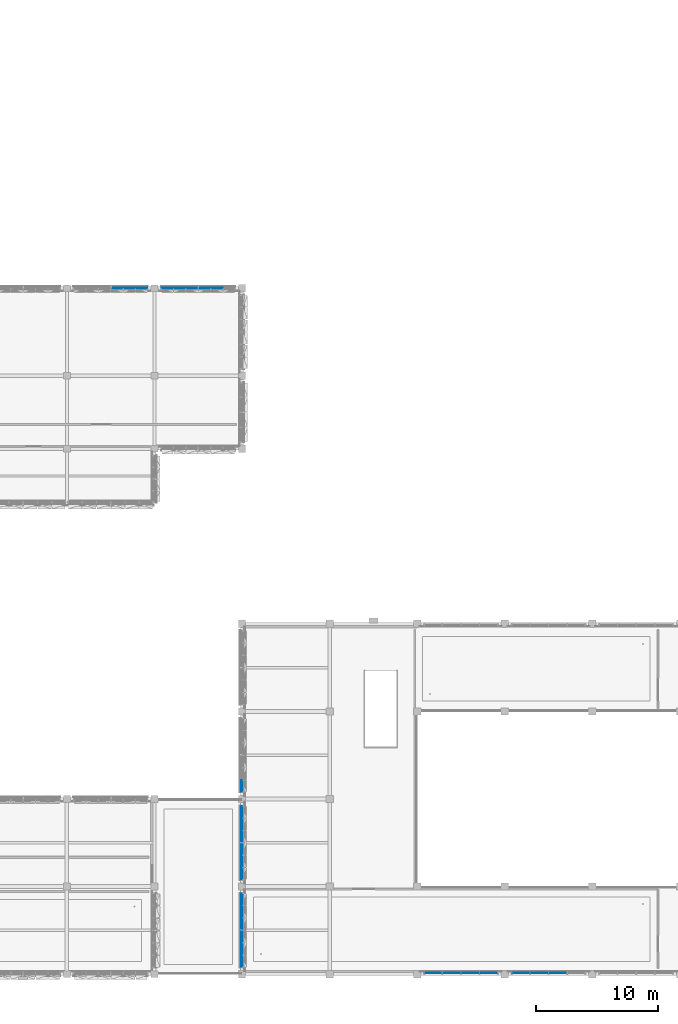
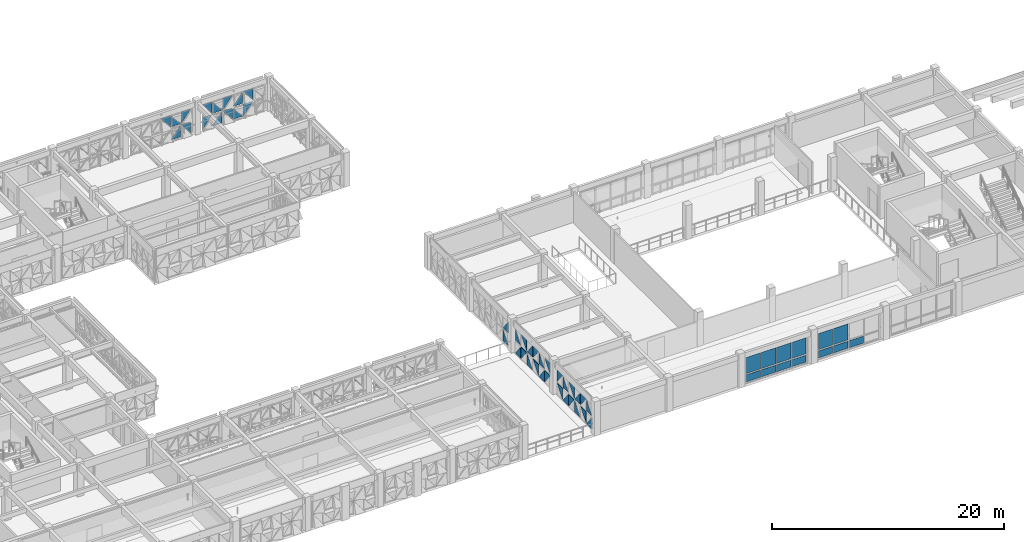
# One storey, part 37 of 85: 54 plates, 7 elements without a shape of their own.
"""IFC4 building model written with IfcOpenShell, lengths in metres."""

from ifc_helpers import new_model, si_unit, direction, frame, origin, origin_2d, place, context, subcontext, project, spatial, polyline, rectangle, outline, extrude, material, layer, layer_set, type_object, element, aggregate, save


model = new_model("IFC4")

# Units and contexts
model_context = context("Model", 3, precision=1e-05, world=origin(), true_north=direction((0.0, 1.0)))
body_context = subcontext(model_context, "Body", "Model", "MODEL_VIEW")
ifc_project = project(units=[si_unit("LENGTHUNIT", "METRE"), si_unit("AREAUNIT", "SQUARE_METRE"), si_unit("VOLUMEUNIT", "CUBIC_METRE"), si_unit("PLANEANGLEUNIT", "RADIAN"), si_unit("MASSUNIT", "GRAM", prefix="KILO")], contexts=[model_context])

# Site, building, storey
site_placement = place(None, origin())
site = spatial("IfcSite", under=ifc_project, at=site_placement, CompositionType="ELEMENT")
building_placement = place(site_placement, origin())
building = spatial("IfcBuilding", under=site, at=building_placement, Name="Alvorim Cloister Faculty of Sciences", CompositionType="ELEMENT")
storey_placement = place(building_placement, frame((0.0, 0.0, 8.550048828125)))
storey = spatial("IfcBuildingStorey", under=building, at=storey_placement, Name="L02", CompositionType="ELEMENT", Elevation=8.550048828125)

# Curtain wall, plates
ifc_material_1 = material(Name="Aluminium and Low-E Glass Curtain Wall", Category="aluminium")
curtain_wall_type_1 = type_object("IfcCurtainWallType", Name="CW-GLZ-6120x2850", PredefinedType="USERDEFINED", material=ifc_material_1)
curtain_wall_1_placement = place(storey_placement, origin())
curtain_wall_1 = element("IfcCurtainWall", 1, at=curtain_wall_1_placement, inside=storey, type_object=curtain_wall_type_1, Name="L02 Entrance and Atrium Glazed Curtain Wall CW-0092", ObjectType="UNITISED CURTAIN WALL", PredefinedType="USERDEFINED")
ifc_material_2 = material(Name="Double Low-E Laminated Glass", Category="glass")
ifc_layer_1 = layer(ifc_material_2, 0.031982421875)
ifc_layer_set_1 = layer_set([ifc_layer_1], Name="Double Low-E Laminated Glass")
plate_type_1 = type_object("IfcPlateType", Name="PN-GLZ-32", PredefinedType="CURTAIN_PANEL", material=ifc_layer_set_1)
plate_1_placement = place(storey_placement, frame((80.521240234375, 0.090087890625, 0.14013671875), z_axis=(0.0, 0.0, 1.0), x_axis=(1.0, 0.0, 0.0)))
plate_1 = element("IfcPlate", 2, at=plate_1_placement, type_object=plate_type_1, Name="CW-10 panel 1.1", PredefinedType="CURTAIN_PANEL", context=body_context, shape_type="SweptSolid", body=[
    extrude(rectangle(XDim=1.4326171875, YDim=0.031982421875, at=origin_2d()), origin(), (0.0, 0.0, 1.0), 0.739990234375),
])
plate_2_placement = place(storey_placement, frame((80.521240234375, 0.090087890625, 1.02001953125), z_axis=(0.0, 0.0, 1.0), x_axis=(1.0, 0.0, 0.0)))
plate_2 = element("IfcPlate", 3, at=plate_2_placement, type_object=plate_type_1, Name="CW-10 panel 1.2", PredefinedType="CURTAIN_PANEL", context=body_context, shape_type="SweptSolid", body=[
    extrude(rectangle(XDim=1.4326171875, YDim=0.031982421875, at=origin_2d()), origin(), (0.0, 0.0, 1.0), 1.68994140625),
])
plate_3_placement = place(storey_placement, frame((82.034912109375, 0.090087890625, 0.14013671875), z_axis=(0.0, 0.0, 1.0), x_axis=(1.0, 0.0, 0.0)))
plate_3 = element("IfcPlate", 4, at=plate_3_placement, type_object=plate_type_1, Name="CW-10 panel 2.1", PredefinedType="CURTAIN_PANEL", context=body_context, shape_type="SweptSolid", body=[
    extrude(rectangle(XDim=1.465087890625, YDim=0.031982421875, at=origin_2d()), origin(), (0.0, 0.0, 1.0), 0.739990234375),
])
plate_4_placement = place(storey_placement, frame((82.034912109375, 0.090087890625, 1.02001953125), z_axis=(0.0, 0.0, 1.0), x_axis=(1.0, 0.0, 0.0)))
plate_4 = element("IfcPlate", 5, at=plate_4_placement, type_object=plate_type_1, Name="CW-10 panel 2.2", PredefinedType="CURTAIN_PANEL", context=body_context, shape_type="SweptSolid", body=[
    extrude(rectangle(XDim=1.465087890625, YDim=0.031982421875, at=origin_2d()), origin(), (0.0, 0.0, 1.0), 1.68994140625),
])
plate_5_placement = place(storey_placement, frame((83.56494140625, 0.090087890625, 0.14013671875), z_axis=(0.0, 0.0, 1.0), x_axis=(1.0, 0.0, 0.0)))
plate_5 = element("IfcPlate", 6, at=plate_5_placement, type_object=plate_type_1, Name="CW-10 panel 3.1", PredefinedType="CURTAIN_PANEL", context=body_context, shape_type="SweptSolid", body=[
    extrude(rectangle(XDim=1.465087890625, YDim=0.031982421875, at=origin_2d()), origin(), (0.0, 0.0, 1.0), 0.739990234375),
])
plate_6_placement = place(storey_placement, frame((83.56494140625, 0.090087890625, 1.02001953125), z_axis=(0.0, 0.0, 1.0), x_axis=(1.0, 0.0, 0.0)))
plate_6 = element("IfcPlate", 7, at=plate_6_placement, type_object=plate_type_1, Name="CW-10 panel 3.2", PredefinedType="CURTAIN_PANEL", context=body_context, shape_type="SweptSolid", body=[
    extrude(rectangle(XDim=1.465087890625, YDim=0.031982421875, at=origin_2d()), origin(), (0.0, 0.0, 1.0), 1.68994140625),
])
plate_7_placement = place(storey_placement, frame((85.078857421875, 0.090087890625, 0.14013671875), z_axis=(0.0, 0.0, 1.0), x_axis=(1.0, 0.0, 0.0)))
plate_7 = element("IfcPlate", 8, at=plate_7_placement, type_object=plate_type_1, Name="CW-10 panel 4.1", PredefinedType="CURTAIN_PANEL", context=body_context, shape_type="SweptSolid", body=[
    extrude(rectangle(XDim=1.4326171875, YDim=0.031982421875, at=origin_2d()), origin(), (0.0, 0.0, 1.0), 0.739990234375),
])
plate_8_placement = place(storey_placement, frame((85.078857421875, 0.090087890625, 1.02001953125), z_axis=(0.0, 0.0, 1.0), x_axis=(1.0, 0.0, 0.0)))
plate_8 = element("IfcPlate", 9, at=plate_8_placement, type_object=plate_type_1, Name="CW-10 panel 4.2", PredefinedType="CURTAIN_PANEL", context=body_context, shape_type="SweptSolid", body=[
    extrude(rectangle(XDim=1.4326171875, YDim=0.031982421875, at=origin_2d()), origin(), (0.0, 0.0, 1.0), 1.68994140625),
])
aggregate(curtain_wall_1, [plate_1, plate_2, plate_3, plate_4, plate_5, plate_6, plate_7, plate_8])

curtain_wall_type_2 = type_object("IfcCurtainWallType", Name="CW-TRI-6120x2850", PredefinedType="USERDEFINED", material=ifc_material_1)
curtain_wall_2_placement = place(storey_placement, origin())
curtain_wall_2 = element("IfcCurtainWall", 10, at=curtain_wall_2_placement, inside=storey, type_object=curtain_wall_type_2, Name="L02 Diagonal Cassette Curtain Wall CW-0059", ObjectType="UNITISED CURTAIN WALL", PredefinedType="USERDEFINED")
ifc_layer_2 = layer(ifc_material_2, 0.0400390625)
ifc_layer_set_2 = layer_set([ifc_layer_2], Name="Double Low-E Laminated Glass")
plate_type_2 = type_object("IfcPlateType", Name="PN-GLZ-40", PredefinedType="CURTAIN_PANEL", material=ifc_layer_set_2)
plate_9_placement = place(storey_placement, frame((54.032470703125, 56.425048828125, 1.494873046875), z_axis=(0.0, 0.0, 1.0), x_axis=(1.0, 0.0, 0.0)))
plate_9 = element("IfcPlate", 11, at=plate_9_placement, type_object=plate_type_2, Name="Diagonal Glazed Triangle TRI-TR", PredefinedType="CURTAIN_PANEL", context=body_context, shape_type="SweptSolid", body=[
    extrude(outline(polyline([(0.955078125, 0.001953125), (0.955078125, 1.215087890625), (0.001953125, 1.215087890625), (0.955078125, 0.001953125)])), frame((0.0, 0.02490234375, 0.0), z_axis=(0.0, -1.0, 0.0), x_axis=(1.0, 0.0, 0.0)), (0.0, 0.0, 1.0), 0.050048828125),
])
plate_10_placement = place(storey_placement, frame((55.052490234375, 56.425048828125, 0.139892578125), z_axis=(0.0, 0.0, 1.0), x_axis=(1.0, 0.0, 0.0)))
plate_10 = element("IfcPlate", 12, at=plate_10_placement, type_object=plate_type_2, Name="Diagonal Glazed Triangle TRI-BR", PredefinedType="CURTAIN_PANEL", context=body_context, shape_type="SweptSolid", body=[
    extrude(outline(polyline([(0.001953125, 0.0), (0.955078125, 0.0), (0.955078125, 1.213134765625), (0.001953125, 0.0)])), frame((0.0, 0.02490234375, 0.0), z_axis=(0.0, -1.0, 0.0), x_axis=(1.0, 0.0, 0.0)), (0.0, 0.0, 1.0), 0.050048828125),
])
plate_11_placement = place(storey_placement, frame((55.052490234375, 56.425048828125, 1.494873046875), z_axis=(0.0, 0.0, 1.0), x_axis=(1.0, 0.0, 0.0)))
plate_11 = element("IfcPlate", 13, at=plate_11_placement, type_object=plate_type_2, Name="Diagonal Glazed Triangle TRI-BL", PredefinedType="CURTAIN_PANEL", context=body_context, shape_type="SweptSolid", body=[
    extrude(outline(polyline([(0.0, 0.0), (0.953125, 0.0), (0.0, 1.213134765625), (0.0, 0.0)])), frame((0.0, 0.02490234375, 0.0), z_axis=(0.0, -1.0, 0.0), x_axis=(1.0, 0.0, 0.0)), (0.0, 0.0, 1.0), 0.050048828125),
])
plate_12_placement = place(storey_placement, frame((56.072509765625, 56.425048828125, 0.139892578125), z_axis=(0.0, 0.0, 1.0), x_axis=(1.0, 0.0, 0.0)))
plate_12 = element("IfcPlate", 14, at=plate_12_placement, type_object=plate_type_2, Name="Diagonal Glazed Triangle TRI-TR", PredefinedType="CURTAIN_PANEL", context=body_context, shape_type="SweptSolid", body=[
    extrude(outline(polyline([(0.922607421875, 0.001953125), (0.922607421875, 1.215087890625), (0.001953125, 1.215087890625), (0.922607421875, 0.001953125)])), frame((0.0, 0.02490234375, 0.0), z_axis=(0.0, -1.0, 0.0), x_axis=(1.0, 0.0, 0.0)), (0.0, 0.0, 1.0), 0.050048828125),
])
plate_13_placement = place(storey_placement, frame((56.072509765625, 56.425048828125, 1.494873046875), z_axis=(0.0, 0.0, 1.0), x_axis=(1.0, 0.0, 0.0)))
plate_13 = element("IfcPlate", 15, at=plate_13_placement, type_object=plate_type_2, Name="Diagonal Glazed Triangle TRI-TL", PredefinedType="CURTAIN_PANEL", context=body_context, shape_type="SweptSolid", body=[
    extrude(outline(polyline([(0.920654296875, 1.215087890625), (0.0, 1.215087890625), (0.0, 0.001953125), (0.920654296875, 1.215087890625)])), frame((0.0, 0.02490234375, 0.0), z_axis=(0.0, -1.0, 0.0), x_axis=(1.0, 0.0, 0.0)), (0.0, 0.0, 1.0), 0.050048828125),
])
aggregate(curtain_wall_2, [plate_9, plate_10, plate_11, plate_12, plate_13])

curtain_wall_3_placement = place(storey_placement, origin())
curtain_wall_3 = element("IfcCurtainWall", 16, at=curtain_wall_3_placement, inside=storey, type_object=curtain_wall_type_2, Name="L02 Diagonal Cassette Curtain Wall CW-0060", ObjectType="UNITISED CURTAIN WALL", PredefinedType="USERDEFINED")
plate_14_placement = place(storey_placement, frame((58.205078125, 56.425048828125, 0.139892578125), z_axis=(0.0, 0.0, 1.0), x_axis=(1.0, 0.0, 0.0)))
plate_14 = element("IfcPlate", 17, at=plate_14_placement, type_object=plate_type_2, Name="Diagonal Glazed Triangle TRI-TL", PredefinedType="CURTAIN_PANEL", context=body_context, shape_type="SweptSolid", body=[
    extrude(outline(polyline([(0.920654296875, 1.215087890625), (0.0, 1.215087890625), (0.0, 0.001953125), (0.920654296875, 1.215087890625)])), frame((0.0, 0.02490234375, 0.0), z_axis=(0.0, -1.0, 0.0), x_axis=(1.0, 0.0, 0.0)), (0.0, 0.0, 1.0), 0.050048828125),
])
plate_15_placement = place(storey_placement, frame((58.205078125, 56.425048828125, 1.494873046875), z_axis=(0.0, 0.0, 1.0), x_axis=(1.0, 0.0, 0.0)))
plate_15 = element("IfcPlate", 18, at=plate_15_placement, type_object=plate_type_2, Name="Diagonal Glazed Triangle TRI-TR", PredefinedType="CURTAIN_PANEL", context=body_context, shape_type="SweptSolid", body=[
    extrude(outline(polyline([(0.922607421875, 0.001953125), (0.922607421875, 1.215087890625), (0.001953125, 1.215087890625), (0.922607421875, 0.001953125)])), frame((0.0, 0.02490234375, 0.0), z_axis=(0.0, -1.0, 0.0), x_axis=(1.0, 0.0, 0.0)), (0.0, 0.0, 1.0), 0.050048828125),
])
plate_16_placement = place(storey_placement, frame((59.1923828125, 56.425048828125, 0.139892578125), z_axis=(0.0, 0.0, 1.0), x_axis=(1.0, 0.0, 0.0)))
plate_16 = element("IfcPlate", 19, at=plate_16_placement, type_object=plate_type_2, Name="Diagonal Glazed Triangle TRI-BR", PredefinedType="CURTAIN_PANEL", context=body_context, shape_type="SweptSolid", body=[
    extrude(outline(polyline([(0.001953125, 0.0), (0.955078125, 0.0), (0.955078125, 1.213134765625), (0.001953125, 0.0)])), frame((0.0, 0.02490234375, 0.0), z_axis=(0.0, -1.0, 0.0), x_axis=(1.0, 0.0, 0.0)), (0.0, 0.0, 1.0), 0.050048828125),
])
plate_17_placement = place(storey_placement, frame((59.1923828125, 56.425048828125, 1.494873046875), z_axis=(0.0, 0.0, 1.0), x_axis=(1.0, 0.0, 0.0)))
plate_17 = element("IfcPlate", 20, at=plate_17_placement, type_object=plate_type_2, Name="Diagonal Glazed Triangle TRI-BL", PredefinedType="CURTAIN_PANEL", context=body_context, shape_type="SweptSolid", body=[
    extrude(outline(polyline([(0.0, 0.0), (0.953125, 0.0), (0.0, 1.213134765625), (0.0, 0.0)])), frame((0.0, 0.02490234375, 0.0), z_axis=(0.0, -1.0, 0.0), x_axis=(1.0, 0.0, 0.0)), (0.0, 0.0, 1.0), 0.050048828125),
])
plate_18_placement = place(storey_placement, frame((60.21240234375, 56.425048828125, 0.139892578125), z_axis=(0.0, 0.0, 1.0), x_axis=(1.0, 0.0, 0.0)))
plate_18 = element("IfcPlate", 21, at=plate_18_placement, type_object=plate_type_2, Name="Diagonal Glazed Triangle TRI-TR", PredefinedType="CURTAIN_PANEL", context=body_context, shape_type="SweptSolid", body=[
    extrude(outline(polyline([(0.955078125, 0.001953125), (0.955078125, 1.215087890625), (0.001953125, 1.215087890625), (0.955078125, 0.001953125)])), frame((0.0, 0.02490234375, 0.0), z_axis=(0.0, -1.0, 0.0), x_axis=(1.0, 0.0, 0.0)), (0.0, 0.0, 1.0), 0.050048828125),
])
plate_19_placement = place(storey_placement, frame((60.21240234375, 56.425048828125, 1.494873046875), z_axis=(0.0, 0.0, 1.0), x_axis=(1.0, 0.0, 0.0)))
plate_19 = element("IfcPlate", 22, at=plate_19_placement, type_object=plate_type_2, Name="Diagonal Glazed Triangle TRI-TL", PredefinedType="CURTAIN_PANEL", context=body_context, shape_type="SweptSolid", body=[
    extrude(outline(polyline([(0.953125, 1.215087890625), (0.0, 1.215087890625), (0.0, 0.001953125), (0.953125, 1.215087890625)])), frame((0.0, 0.02490234375, 0.0), z_axis=(0.0, -1.0, 0.0), x_axis=(1.0, 0.0, 0.0)), (0.0, 0.0, 1.0), 0.050048828125),
])
plate_20_placement = place(storey_placement, frame((61.232421875, 56.425048828125, 0.139892578125), z_axis=(0.0, 0.0, 1.0), x_axis=(1.0, 0.0, 0.0)))
plate_20 = element("IfcPlate", 23, at=plate_20_placement, type_object=plate_type_2, Name="Diagonal Glazed Triangle TRI-BL", PredefinedType="CURTAIN_PANEL", context=body_context, shape_type="SweptSolid", body=[
    extrude(outline(polyline([(0.0, 0.0), (0.953125, 0.0), (0.0, 1.213134765625), (0.0, 0.0)])), frame((0.0, 0.02490234375, 0.0), z_axis=(0.0, -1.0, 0.0), x_axis=(1.0, 0.0, 0.0)), (0.0, 0.0, 1.0), 0.050048828125),
])
plate_21_placement = place(storey_placement, frame((61.232421875, 56.425048828125, 1.494873046875), z_axis=(0.0, 0.0, 1.0), x_axis=(1.0, 0.0, 0.0)))
plate_21 = element("IfcPlate", 24, at=plate_21_placement, type_object=plate_type_2, Name="Diagonal Glazed Triangle TRI-BR", PredefinedType="CURTAIN_PANEL", context=body_context, shape_type="SweptSolid", body=[
    extrude(outline(polyline([(0.001953125, 0.0), (0.955078125, 0.0), (0.955078125, 1.213134765625), (0.001953125, 0.0)])), frame((0.0, 0.02490234375, 0.0), z_axis=(0.0, -1.0, 0.0), x_axis=(1.0, 0.0, 0.0)), (0.0, 0.0, 1.0), 0.050048828125),
])
plate_22_placement = place(storey_placement, frame((62.25244140625, 56.425048828125, 0.139892578125), z_axis=(0.0, 0.0, 1.0), x_axis=(1.0, 0.0, 0.0)))
plate_22 = element("IfcPlate", 25, at=plate_22_placement, type_object=plate_type_2, Name="Diagonal Glazed Triangle TRI-TL", PredefinedType="CURTAIN_PANEL", context=body_context, shape_type="SweptSolid", body=[
    extrude(outline(polyline([(0.953125, 1.215087890625), (0.0, 1.215087890625), (0.0, 0.001953125), (0.953125, 1.215087890625)])), frame((0.0, 0.02490234375, 0.0), z_axis=(0.0, -1.0, 0.0), x_axis=(1.0, 0.0, 0.0)), (0.0, 0.0, 1.0), 0.050048828125),
])
plate_23_placement = place(storey_placement, frame((62.25244140625, 56.425048828125, 1.494873046875), z_axis=(0.0, 0.0, 1.0), x_axis=(1.0, 0.0, 0.0)))
plate_23 = element("IfcPlate", 26, at=plate_23_placement, type_object=plate_type_2, Name="Diagonal Glazed Triangle TRI-TR", PredefinedType="CURTAIN_PANEL", context=body_context, shape_type="SweptSolid", body=[
    extrude(outline(polyline([(0.955078125, 0.001953125), (0.955078125, 1.215087890625), (0.001953125, 1.215087890625), (0.955078125, 0.001953125)])), frame((0.0, 0.02490234375, 0.0), z_axis=(0.0, -1.0, 0.0), x_axis=(1.0, 0.0, 0.0)), (0.0, 0.0, 1.0), 0.050048828125),
])
aggregate(curtain_wall_3, [plate_14, plate_15, plate_16, plate_17, plate_18, plate_19, plate_20, plate_21, plate_22, plate_23])

curtain_wall_4_placement = place(storey_placement, origin())
curtain_wall_4 = element("IfcCurtainWall", 27, at=curtain_wall_4_placement, inside=storey, type_object=curtain_wall_type_1, Name="L02 Entrance and Atrium Glazed Curtain Wall CW-0091", ObjectType="UNITISED CURTAIN WALL", PredefinedType="USERDEFINED")
plate_24_placement = place(storey_placement, frame((87.72119140625, 0.090087890625, 0.14013671875), z_axis=(0.0, 0.0, 1.0), x_axis=(1.0, 0.0, 0.0)))
plate_24 = element("IfcPlate", 28, at=plate_24_placement, type_object=plate_type_2, Name="CW-10 panel 1.1", PredefinedType="CURTAIN_PANEL", context=body_context, shape_type="SweptSolid", body=[
    extrude(rectangle(XDim=1.4326171875, YDim=0.0400390625, at=origin_2d()), origin(), (0.0, 0.0, 1.0), 0.739990234375),
])
plate_25_placement = place(storey_placement, frame((87.72119140625, 0.090087890625, 1.02001953125), z_axis=(0.0, 0.0, 1.0), x_axis=(1.0, 0.0, 0.0)))
plate_25 = element("IfcPlate", 29, at=plate_25_placement, type_object=plate_type_2, Name="CW-10 panel 1.2", PredefinedType="CURTAIN_PANEL", context=body_context, shape_type="SweptSolid", body=[
    extrude(rectangle(XDim=1.4326171875, YDim=0.0400390625, at=origin_2d()), origin(), (0.0, 0.0, 1.0), 1.68994140625),
])
plate_26_placement = place(storey_placement, frame((89.235107421875, 0.090087890625, 0.14013671875), z_axis=(0.0, 0.0, 1.0), x_axis=(1.0, 0.0, 0.0)))
plate_26 = element("IfcPlate", 30, at=plate_26_placement, type_object=plate_type_2, Name="CW-10 panel 2.1", PredefinedType="CURTAIN_PANEL", context=body_context, shape_type="SweptSolid", body=[
    extrude(rectangle(XDim=1.465087890625, YDim=0.0400390625, at=origin_2d()), origin(), (0.0, 0.0, 1.0), 0.739990234375),
])
plate_27_placement = place(storey_placement, frame((89.235107421875, 0.090087890625, 1.02001953125), z_axis=(0.0, 0.0, 1.0), x_axis=(1.0, 0.0, 0.0)))
plate_27 = element("IfcPlate", 31, at=plate_27_placement, type_object=plate_type_2, Name="CW-10 panel 2.2", PredefinedType="CURTAIN_PANEL", context=body_context, shape_type="SweptSolid", body=[
    extrude(rectangle(XDim=1.465087890625, YDim=0.0400390625, at=origin_2d()), origin(), (0.0, 0.0, 1.0), 1.68994140625),
])
plate_28_placement = place(storey_placement, frame((90.764892578125, 0.090087890625, 0.14013671875), z_axis=(0.0, 0.0, 1.0), x_axis=(1.0, 0.0, 0.0)))
plate_28 = element("IfcPlate", 32, at=plate_28_placement, type_object=plate_type_2, Name="CW-10 panel 3.1", PredefinedType="CURTAIN_PANEL", context=body_context, shape_type="SweptSolid", body=[
    extrude(rectangle(XDim=1.465087890625, YDim=0.0400390625, at=origin_2d()), origin(), (0.0, 0.0, 1.0), 0.739990234375),
])
aggregate(curtain_wall_4, [plate_24, plate_25, plate_26, plate_27, plate_28])

curtain_wall_5_placement = place(storey_placement, origin())
curtain_wall_5 = element("IfcCurtainWall", 33, at=curtain_wall_5_placement, inside=storey, type_object=curtain_wall_type_2, Name="L02 Diagonal Cassette Curtain Wall CW-0093", ObjectType="UNITISED CURTAIN WALL", PredefinedType="USERDEFINED")
plate_29_placement = place(storey_placement, frame((64.77490234375, 0.60498046875, 0.139892578125), z_axis=(0.0, 0.0, 1.0), x_axis=(0.0, 1.0, 0.0)))
plate_29 = element("IfcPlate", 34, at=plate_29_placement, type_object=plate_type_2, Name="Diagonal Glazed Triangle TRI-BL", PredefinedType="CURTAIN_PANEL", context=body_context, shape_type="SweptSolid", body=[
    extrude(outline(polyline([(0.0, 0.0), (0.920654296875, 0.0), (0.0, 1.213134765625), (0.0, 0.0)])), frame((0.0, 0.02490234375, 0.0), z_axis=(0.0, -1.0, 0.0), x_axis=(1.0, 0.0, 0.0)), (0.0, 0.0, 1.0), 0.050048828125),
])
plate_30_placement = place(storey_placement, frame((64.77490234375, 0.60498046875, 1.494873046875), z_axis=(0.0, 0.0, 1.0), x_axis=(0.0, 1.0, 0.0)))
plate_30 = element("IfcPlate", 35, at=plate_30_placement, type_object=plate_type_2, Name="Diagonal Glazed Triangle TRI-BR", PredefinedType="CURTAIN_PANEL", context=body_context, shape_type="SweptSolid", body=[
    extrude(outline(polyline([(0.001953125, 0.0), (0.922607421875, 0.0), (0.922607421875, 1.213134765625), (0.001953125, 0.0)])), frame((0.0, 0.02490234375, 0.0), z_axis=(0.0, -1.0, 0.0), x_axis=(1.0, 0.0, 0.0)), (0.0, 0.0, 1.0), 0.050048828125),
])
plate_31_placement = place(storey_placement, frame((64.77490234375, 1.592529296875, 0.139892578125), z_axis=(0.0, 0.0, 1.0), x_axis=(0.0, 1.0, 0.0)))
plate_31 = element("IfcPlate", 36, at=plate_31_placement, type_object=plate_type_2, Name="Diagonal Glazed Triangle TRI-TL", PredefinedType="CURTAIN_PANEL", context=body_context, shape_type="SweptSolid", body=[
    extrude(outline(polyline([(0.953125, 1.215087890625), (0.0, 1.215087890625), (0.0, 0.001953125), (0.953125, 1.215087890625)])), frame((0.0, 0.02490234375, 0.0), z_axis=(0.0, -1.0, 0.0), x_axis=(1.0, 0.0, 0.0)), (0.0, 0.0, 1.0), 0.050048828125),
])
plate_32_placement = place(storey_placement, frame((64.77490234375, 1.592529296875, 1.494873046875), z_axis=(0.0, 0.0, 1.0), x_axis=(0.0, 1.0, 0.0)))
plate_32 = element("IfcPlate", 37, at=plate_32_placement, type_object=plate_type_2, Name="Diagonal Glazed Triangle TRI-TR", PredefinedType="CURTAIN_PANEL", context=body_context, shape_type="SweptSolid", body=[
    extrude(outline(polyline([(0.955078125, 0.001953125), (0.955078125, 1.215087890625), (0.001953125, 1.215087890625), (0.955078125, 0.001953125)])), frame((0.0, 0.02490234375, 0.0), z_axis=(0.0, -1.0, 0.0), x_axis=(1.0, 0.0, 0.0)), (0.0, 0.0, 1.0), 0.050048828125),
])
plate_33_placement = place(storey_placement, frame((64.77490234375, 2.612548828125, 0.139892578125), z_axis=(0.0, 0.0, 1.0), x_axis=(0.0, 1.0, 0.0)))
plate_33 = element("IfcPlate", 38, at=plate_33_placement, type_object=plate_type_2, Name="Diagonal Glazed Triangle TRI-BR", PredefinedType="CURTAIN_PANEL", context=body_context, shape_type="SweptSolid", body=[
    extrude(outline(polyline([(0.001953125, 0.0), (0.955078125, 0.0), (0.955078125, 1.213134765625), (0.001953125, 0.0)])), frame((0.0, 0.02490234375, 0.0), z_axis=(0.0, -1.0, 0.0), x_axis=(1.0, 0.0, 0.0)), (0.0, 0.0, 1.0), 0.050048828125),
])
plate_34_placement = place(storey_placement, frame((64.77490234375, 2.612548828125, 1.494873046875), z_axis=(0.0, 0.0, 1.0), x_axis=(0.0, 1.0, 0.0)))
plate_34 = element("IfcPlate", 39, at=plate_34_placement, type_object=plate_type_2, Name="Diagonal Glazed Triangle TRI-BL", PredefinedType="CURTAIN_PANEL", context=body_context, shape_type="SweptSolid", body=[
    extrude(outline(polyline([(0.0, 0.0), (0.953125, 0.0), (0.0, 1.213134765625), (0.0, 0.0)])), frame((0.0, 0.02490234375, 0.0), z_axis=(0.0, -1.0, 0.0), x_axis=(1.0, 0.0, 0.0)), (0.0, 0.0, 1.0), 0.050048828125),
])
plate_35_placement = place(storey_placement, frame((64.77490234375, 3.632568359375, 0.139892578125), z_axis=(0.0, 0.0, 1.0), x_axis=(0.0, 1.0, 0.0)))
plate_35 = element("IfcPlate", 40, at=plate_35_placement, type_object=plate_type_2, Name="Diagonal Glazed Triangle TRI-TR", PredefinedType="CURTAIN_PANEL", context=body_context, shape_type="SweptSolid", body=[
    extrude(outline(polyline([(0.955078125, 0.001953125), (0.955078125, 1.215087890625), (0.001953125, 1.215087890625), (0.955078125, 0.001953125)])), frame((0.0, 0.02490234375, 0.0), z_axis=(0.0, -1.0, 0.0), x_axis=(1.0, 0.0, 0.0)), (0.0, 0.0, 1.0), 0.050048828125),
])
plate_36_placement = place(storey_placement, frame((64.77490234375, 3.632568359375, 1.494873046875), z_axis=(0.0, 0.0, 1.0), x_axis=(0.0, 1.0, 0.0)))
plate_36 = element("IfcPlate", 41, at=plate_36_placement, type_object=plate_type_2, Name="Diagonal Glazed Triangle TRI-TL", PredefinedType="CURTAIN_PANEL", context=body_context, shape_type="SweptSolid", body=[
    extrude(outline(polyline([(0.953125, 1.215087890625), (0.0, 1.215087890625), (0.0, 0.001953125), (0.953125, 1.215087890625)])), frame((0.0, 0.02490234375, 0.0), z_axis=(0.0, -1.0, 0.0), x_axis=(1.0, 0.0, 0.0)), (0.0, 0.0, 1.0), 0.050048828125),
])
plate_37_placement = place(storey_placement, frame((64.77490234375, 4.652587890625, 0.139892578125), z_axis=(0.0, 0.0, 1.0), x_axis=(0.0, 1.0, 0.0)))
plate_37 = element("IfcPlate", 42, at=plate_37_placement, type_object=plate_type_2, Name="Diagonal Glazed Triangle TRI-BL", PredefinedType="CURTAIN_PANEL", context=body_context, shape_type="SweptSolid", body=[
    extrude(outline(polyline([(0.0, 0.0), (0.953125, 0.0), (0.0, 1.213134765625), (0.0, 0.0)])), frame((0.0, 0.02490234375, 0.0), z_axis=(0.0, -1.0, 0.0), x_axis=(1.0, 0.0, 0.0)), (0.0, 0.0, 1.0), 0.050048828125),
])
plate_38_placement = place(storey_placement, frame((64.77490234375, 4.652587890625, 1.494873046875), z_axis=(0.0, 0.0, 1.0), x_axis=(0.0, 1.0, 0.0)))
plate_38 = element("IfcPlate", 43, at=plate_38_placement, type_object=plate_type_2, Name="Diagonal Glazed Triangle TRI-BR", PredefinedType="CURTAIN_PANEL", context=body_context, shape_type="SweptSolid", body=[
    extrude(outline(polyline([(0.001953125, 0.0), (0.955078125, 0.0), (0.955078125, 1.213134765625), (0.001953125, 0.0)])), frame((0.0, 0.02490234375, 0.0), z_axis=(0.0, -1.0, 0.0), x_axis=(1.0, 0.0, 0.0)), (0.0, 0.0, 1.0), 0.050048828125),
])
plate_39_placement = place(storey_placement, frame((64.77490234375, 5.672607421875, 0.139892578125), z_axis=(0.0, 0.0, 1.0), x_axis=(0.0, 1.0, 0.0)))
plate_39 = element("IfcPlate", 44, at=plate_39_placement, type_object=plate_type_2, Name="Diagonal Glazed Triangle TRI-TL", PredefinedType="CURTAIN_PANEL", context=body_context, shape_type="SweptSolid", body=[
    extrude(outline(polyline([(0.920654296875, 1.215087890625), (0.0, 1.215087890625), (0.0, 0.001953125), (0.920654296875, 1.215087890625)])), frame((0.0, 0.02490234375, 0.0), z_axis=(0.0, -1.0, 0.0), x_axis=(1.0, 0.0, 0.0)), (0.0, 0.0, 1.0), 0.050048828125),
])
plate_40_placement = place(storey_placement, frame((64.77490234375, 5.672607421875, 1.494873046875), z_axis=(0.0, 0.0, 1.0), x_axis=(0.0, 1.0, 0.0)))
plate_40 = element("IfcPlate", 45, at=plate_40_placement, type_object=plate_type_2, Name="Diagonal Glazed Triangle TRI-TR", PredefinedType="CURTAIN_PANEL", context=body_context, shape_type="SweptSolid", body=[
    extrude(outline(polyline([(0.922607421875, 0.001953125), (0.922607421875, 1.215087890625), (0.001953125, 1.215087890625), (0.922607421875, 0.001953125)])), frame((0.0, 0.02490234375, 0.0), z_axis=(0.0, -1.0, 0.0), x_axis=(1.0, 0.0, 0.0)), (0.0, 0.0, 1.0), 0.050048828125),
])
aggregate(curtain_wall_5, [plate_29, plate_30, plate_31, plate_32, plate_33, plate_34, plate_35, plate_36, plate_37, plate_38, plate_39, plate_40])

curtain_wall_6_placement = place(storey_placement, origin())
curtain_wall_6 = element("IfcCurtainWall", 46, at=curtain_wall_6_placement, inside=storey, type_object=curtain_wall_type_2, Name="L02 Diagonal Cassette Curtain Wall CW-0094", ObjectType="UNITISED CURTAIN WALL", PredefinedType="USERDEFINED")
plate_41_placement = place(storey_placement, frame((64.77490234375, 7.804931640625, 0.139892578125), z_axis=(0.0, 0.0, 1.0), x_axis=(0.0, 1.0, 0.0)))
plate_41 = element("IfcPlate", 47, at=plate_41_placement, type_object=plate_type_2, Name="Diagonal Glazed Triangle TRI-TR", PredefinedType="CURTAIN_PANEL", context=body_context, shape_type="SweptSolid", body=[
    extrude(outline(polyline([(0.922607421875, 0.001953125), (0.922607421875, 1.215087890625), (0.001953125, 1.215087890625), (0.922607421875, 0.001953125)])), frame((0.0, 0.02490234375, 0.0), z_axis=(0.0, -1.0, 0.0), x_axis=(1.0, 0.0, 0.0)), (0.0, 0.0, 1.0), 0.050048828125),
])
plate_42_placement = place(storey_placement, frame((64.77490234375, 7.804931640625, 1.494873046875), z_axis=(0.0, 0.0, 1.0), x_axis=(0.0, 1.0, 0.0)))
plate_42 = element("IfcPlate", 48, at=plate_42_placement, type_object=plate_type_2, Name="Diagonal Glazed Triangle TRI-TL", PredefinedType="CURTAIN_PANEL", context=body_context, shape_type="SweptSolid", body=[
    extrude(outline(polyline([(0.920654296875, 1.215087890625), (0.0, 1.215087890625), (0.0, 0.001953125), (0.920654296875, 1.215087890625)])), frame((0.0, 0.02490234375, 0.0), z_axis=(0.0, -1.0, 0.0), x_axis=(1.0, 0.0, 0.0)), (0.0, 0.0, 1.0), 0.050048828125),
])
plate_43_placement = place(storey_placement, frame((64.77490234375, 8.79248046875, 0.139892578125), z_axis=(0.0, 0.0, 1.0), x_axis=(0.0, 1.0, 0.0)))
plate_43 = element("IfcPlate", 49, at=plate_43_placement, type_object=plate_type_2, Name="Diagonal Glazed Triangle TRI-BL", PredefinedType="CURTAIN_PANEL", context=body_context, shape_type="SweptSolid", body=[
    extrude(outline(polyline([(0.0, 0.0), (0.953125, 0.0), (0.0, 1.213134765625), (0.0, 0.0)])), frame((0.0, 0.02490234375, 0.0), z_axis=(0.0, -1.0, 0.0), x_axis=(1.0, 0.0, 0.0)), (0.0, 0.0, 1.0), 0.050048828125),
])
plate_44_placement = place(storey_placement, frame((64.77490234375, 8.79248046875, 1.494873046875), z_axis=(0.0, 0.0, 1.0), x_axis=(0.0, 1.0, 0.0)))
plate_44 = element("IfcPlate", 50, at=plate_44_placement, type_object=plate_type_2, Name="Diagonal Glazed Triangle TRI-BR", PredefinedType="CURTAIN_PANEL", context=body_context, shape_type="SweptSolid", body=[
    extrude(outline(polyline([(0.001953125, 0.0), (0.955078125, 0.0), (0.955078125, 1.213134765625), (0.001953125, 0.0)])), frame((0.0, 0.02490234375, 0.0), z_axis=(0.0, -1.0, 0.0), x_axis=(1.0, 0.0, 0.0)), (0.0, 0.0, 1.0), 0.050048828125),
])
plate_45_placement = place(storey_placement, frame((64.77490234375, 9.8125, 0.139892578125), z_axis=(0.0, 0.0, 1.0), x_axis=(0.0, 1.0, 0.0)))
plate_45 = element("IfcPlate", 51, at=plate_45_placement, type_object=plate_type_2, Name="Diagonal Glazed Triangle TRI-TL", PredefinedType="CURTAIN_PANEL", context=body_context, shape_type="SweptSolid", body=[
    extrude(outline(polyline([(0.953125, 1.215087890625), (0.0, 1.215087890625), (0.0, 0.001953125), (0.953125, 1.215087890625)])), frame((0.0, 0.02490234375, 0.0), z_axis=(0.0, -1.0, 0.0), x_axis=(1.0, 0.0, 0.0)), (0.0, 0.0, 1.0), 0.050048828125),
])
plate_46_placement = place(storey_placement, frame((64.77490234375, 9.8125, 1.494873046875), z_axis=(0.0, 0.0, 1.0), x_axis=(0.0, 1.0, 0.0)))
plate_46 = element("IfcPlate", 52, at=plate_46_placement, type_object=plate_type_2, Name="Diagonal Glazed Triangle TRI-TR", PredefinedType="CURTAIN_PANEL", context=body_context, shape_type="SweptSolid", body=[
    extrude(outline(polyline([(0.955078125, 0.001953125), (0.955078125, 1.215087890625), (0.001953125, 1.215087890625), (0.955078125, 0.001953125)])), frame((0.0, 0.02490234375, 0.0), z_axis=(0.0, -1.0, 0.0), x_axis=(1.0, 0.0, 0.0)), (0.0, 0.0, 1.0), 0.050048828125),
])
plate_47_placement = place(storey_placement, frame((64.77490234375, 10.83251953125, 0.139892578125), z_axis=(0.0, 0.0, 1.0), x_axis=(0.0, 1.0, 0.0)))
plate_47 = element("IfcPlate", 53, at=plate_47_placement, type_object=plate_type_2, Name="Diagonal Glazed Triangle TRI-BR", PredefinedType="CURTAIN_PANEL", context=body_context, shape_type="SweptSolid", body=[
    extrude(outline(polyline([(0.001953125, 0.0), (0.955078125, 0.0), (0.955078125, 1.213134765625), (0.001953125, 0.0)])), frame((0.0, 0.02490234375, 0.0), z_axis=(0.0, -1.0, 0.0), x_axis=(1.0, 0.0, 0.0)), (0.0, 0.0, 1.0), 0.050048828125),
])
plate_48_placement = place(storey_placement, frame((64.77490234375, 10.83251953125, 1.494873046875), z_axis=(0.0, 0.0, 1.0), x_axis=(0.0, 1.0, 0.0)))
plate_48 = element("IfcPlate", 54, at=plate_48_placement, type_object=plate_type_2, Name="Diagonal Glazed Triangle TRI-BL", PredefinedType="CURTAIN_PANEL", context=body_context, shape_type="SweptSolid", body=[
    extrude(outline(polyline([(0.0, 0.0), (0.953125, 0.0), (0.0, 1.213134765625), (0.0, 0.0)])), frame((0.0, 0.02490234375, 0.0), z_axis=(0.0, -1.0, 0.0), x_axis=(1.0, 0.0, 0.0)), (0.0, 0.0, 1.0), 0.050048828125),
])
plate_49_placement = place(storey_placement, frame((64.77490234375, 11.8525390625, 0.139892578125), z_axis=(0.0, 0.0, 1.0), x_axis=(0.0, 1.0, 0.0)))
plate_49 = element("IfcPlate", 55, at=plate_49_placement, type_object=plate_type_2, Name="Diagonal Glazed Triangle TRI-TR", PredefinedType="CURTAIN_PANEL", context=body_context, shape_type="SweptSolid", body=[
    extrude(outline(polyline([(0.955078125, 0.001953125), (0.955078125, 1.215087890625), (0.001953125, 1.215087890625), (0.955078125, 0.001953125)])), frame((0.0, 0.02490234375, 0.0), z_axis=(0.0, -1.0, 0.0), x_axis=(1.0, 0.0, 0.0)), (0.0, 0.0, 1.0), 0.050048828125),
])
plate_50_placement = place(storey_placement, frame((64.77490234375, 11.8525390625, 1.494873046875), z_axis=(0.0, 0.0, 1.0), x_axis=(0.0, 1.0, 0.0)))
plate_50 = element("IfcPlate", 56, at=plate_50_placement, type_object=plate_type_2, Name="Diagonal Glazed Triangle TRI-TL", PredefinedType="CURTAIN_PANEL", context=body_context, shape_type="SweptSolid", body=[
    extrude(outline(polyline([(0.953125, 1.215087890625), (0.0, 1.215087890625), (0.0, 0.001953125), (0.953125, 1.215087890625)])), frame((0.0, 0.02490234375, 0.0), z_axis=(0.0, -1.0, 0.0), x_axis=(1.0, 0.0, 0.0)), (0.0, 0.0, 1.0), 0.050048828125),
])
plate_51_placement = place(storey_placement, frame((64.77490234375, 12.87255859375, 0.139892578125), z_axis=(0.0, 0.0, 1.0), x_axis=(0.0, 1.0, 0.0)))
plate_51 = element("IfcPlate", 57, at=plate_51_placement, type_object=plate_type_2, Name="Diagonal Glazed Triangle TRI-BL", PredefinedType="CURTAIN_PANEL", context=body_context, shape_type="SweptSolid", body=[
    extrude(outline(polyline([(0.0, 0.0), (0.920654296875, 0.0), (0.0, 1.213134765625), (0.0, 0.0)])), frame((0.0, 0.02490234375, 0.0), z_axis=(0.0, -1.0, 0.0), x_axis=(1.0, 0.0, 0.0)), (0.0, 0.0, 1.0), 0.050048828125),
])
plate_52_placement = place(storey_placement, frame((64.77490234375, 12.87255859375, 1.494873046875), z_axis=(0.0, 0.0, 1.0), x_axis=(0.0, 1.0, 0.0)))
plate_52 = element("IfcPlate", 58, at=plate_52_placement, type_object=plate_type_2, Name="Diagonal Glazed Triangle TRI-BR", PredefinedType="CURTAIN_PANEL", context=body_context, shape_type="SweptSolid", body=[
    extrude(outline(polyline([(0.001953125, 0.0), (0.922607421875, 0.0), (0.922607421875, 1.213134765625), (0.001953125, 0.0)])), frame((0.0, 0.02490234375, 0.0), z_axis=(0.0, -1.0, 0.0), x_axis=(1.0, 0.0, 0.0)), (0.0, 0.0, 1.0), 0.050048828125),
])
aggregate(curtain_wall_6, [plate_41, plate_42, plate_43, plate_44, plate_45, plate_46, plate_47, plate_48, plate_49, plate_50, plate_51, plate_52])

curtain_wall_7_placement = place(storey_placement, origin())
curtain_wall_7 = element("IfcCurtainWall", 59, at=curtain_wall_7_placement, inside=storey, type_object=curtain_wall_type_2, Name="L02 Diagonal Cassette Curtain Wall CW-0095", ObjectType="UNITISED CURTAIN WALL", PredefinedType="USERDEFINED")
plate_53_placement = place(storey_placement, frame((64.77490234375, 15.0048828125, 0.139892578125), z_axis=(0.0, 0.0, 1.0), x_axis=(0.0, 1.0, 0.0)))
plate_53 = element("IfcPlate", 60, at=plate_53_placement, type_object=plate_type_2, Name="Diagonal Glazed Triangle TRI-BR", PredefinedType="CURTAIN_PANEL", context=body_context, shape_type="SweptSolid", body=[
    extrude(outline(polyline([(0.001953125, 0.0), (0.922607421875, 0.0), (0.922607421875, 1.213134765625), (0.001953125, 0.0)])), frame((0.0, 0.02490234375, 0.0), z_axis=(0.0, -1.0, 0.0), x_axis=(1.0, 0.0, 0.0)), (0.0, 0.0, 1.0), 0.050048828125),
])
plate_54_placement = place(storey_placement, frame((64.77490234375, 15.0048828125, 1.494873046875), z_axis=(0.0, 0.0, 1.0), x_axis=(0.0, 1.0, 0.0)))
plate_54 = element("IfcPlate", 61, at=plate_54_placement, type_object=plate_type_2, Name="Diagonal Glazed Triangle TRI-BL", PredefinedType="CURTAIN_PANEL", context=body_context, shape_type="SweptSolid", body=[
    extrude(outline(polyline([(0.0, 0.0), (0.920654296875, 0.0), (0.0, 1.213134765625), (0.0, 0.0)])), frame((0.0, 0.02490234375, 0.0), z_axis=(0.0, -1.0, 0.0), x_axis=(1.0, 0.0, 0.0)), (0.0, 0.0, 1.0), 0.050048828125),
])
aggregate(curtain_wall_7, [plate_53, plate_54])

save(model, "model.ifc")
